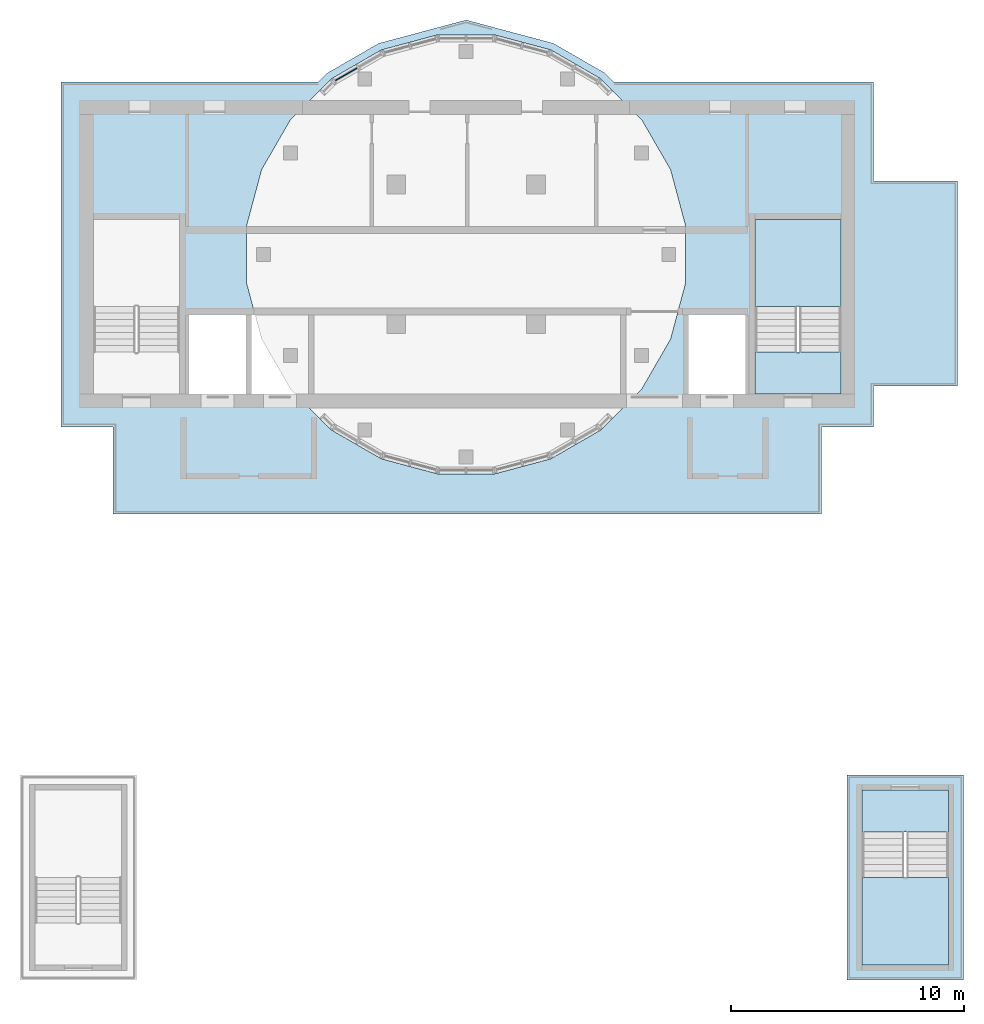
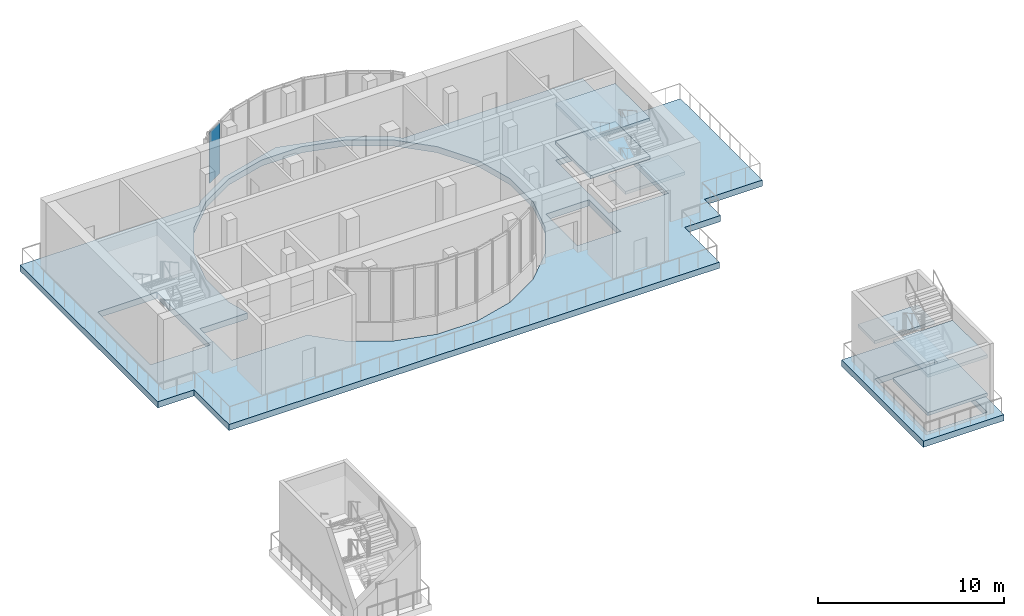
# One storey, part 3 of 10: 8 slabs, 1 plate, 3 elements without a shape of their own.
"""IFC4 building model written with IfcOpenShell, lengths in metres."""

from ifc_helpers import new_model, si_unit, direction, frame, origin, origin_2d, place, context, subcontext, project, spatial, polyline, rectangle, outline, extrude, source, transform, mapped, material, layer, layer_set, type_object, element, aggregate, save


model = new_model("IFC4")

# Units and contexts
model_context = context("Model", 3, precision=1e-05, world=origin(), true_north=direction((0.0, 1.0)))
body_context = subcontext(model_context, "Body", "Model", "MODEL_VIEW")
ifc_project = project(units=[si_unit("LENGTHUNIT", "METRE"), si_unit("AREAUNIT", "SQUARE_METRE"), si_unit("VOLUMEUNIT", "CUBIC_METRE"), si_unit("PLANEANGLEUNIT", "RADIAN"), si_unit("MASSUNIT", "GRAM", prefix="KILO")], contexts=[model_context])

# Site, building, storey
site_placement = place(None, origin())
site = spatial("IfcSite", under=ifc_project, at=site_placement, CompositionType="ELEMENT")
building_placement = place(site_placement, origin())
building = spatial("IfcBuilding", under=site, at=building_placement, Name="Kilnfold Tower and Market Hall", CompositionType="ELEMENT")
storey_placement = place(building_placement, frame((0.0, 0.0, 323.800048828125)))
storey = spatial("IfcBuildingStorey", under=building, at=storey_placement, Name="L81 Crown Plant", CompositionType="ELEMENT", Elevation=323.800048828125)

# Curtain wall, plate
ifc_material_1 = material(Name="Aluminium and double glazing", Category="aluminium")
curtain_wall_type = type_object("IfcCurtainWallType", Name="CW CROWN CLERESTORY", PredefinedType="NOTDEFINED", material=ifc_material_1)
curtain_wall_placement = place(storey_placement, origin())
curtain_wall = element("IfcCurtainWall", 1, at=curtain_wall_placement, inside=storey, type_object=curtain_wall_type, Name="Curtain wall CW6 L81 D15", PredefinedType="NOTDEFINED")
ifc_material_2 = material(Name="Double glazed unit")
ifc_layer_1 = layer(ifc_material_2, 0.0380859375)
ifc_layer_set_1 = layer_set([ifc_layer_1], Name="Double glazed unit")
plate_type = type_object("IfcPlateType", Name="GLAZING PANEL 38", PredefinedType="CURTAIN_PANEL", material=ifc_layer_set_1)
shared_shape_1 = source(origin(), body_context, "Body", "SweptSolid", [
    extrude(rectangle(XDim=1.107666015625, YDim=0.0380859375, at=origin_2d()), origin(), (0.0, 0.0, 1.0), 3.324951171875),
])
plate_placement = place(storey_placement, frame((-4.146484375, 22.7314453125, 1.2001953125), z_axis=(0.0, 0.0, 1.0), x_axis=(-0.866030690129, -0.499990843671, 0.0)))
plate = element("IfcPlate", 2, at=plate_placement, type_object=plate_type, Name="CW6 panel 2.1", PredefinedType="CURTAIN_PANEL", context=body_context, shape_type="MappedRepresentation", body=[
    mapped(shared_shape_1, transform((0.0, 0.0, 0.0))),
])
aggregate(curtain_wall, [plate])

# Stair, slabs
ifc_material_3 = material(Name="Concrete C40/50", Category="concrete")
stair_type = type_object("IfcStairType", Name="CORE STAIR 1800", PredefinedType="HALF_TURN_STAIR", material=ifc_material_3)
stair_1_placement = place(storey_placement, origin())
stair_1 = element("IfcStair", 3, at=stair_1_placement, inside=storey, type_object=stair_type, Name="L81 Crown Plant ST2", PredefinedType="HALF_TURN_STAIR")
ifc_material_4 = material(Name="Concrete C40/50", Category="concrete")
ifc_layer_2 = layer(ifc_material_4, 0.199951171875)
ifc_layer_set_2 = layer_set([ifc_layer_2], Name="Concrete C40/50")
slab_type_1 = type_object("IfcSlabType", Name="CORE STAIR LANDING 200", PredefinedType="LANDING", material=ifc_layer_set_2)
shared_shape_2 = source(origin(), body_context, "Body", "SweptSolid", [
    extrude(outline(polyline([(17.10009765625, 9.0), (17.10009765625, 10.800048828125), (13.39990234375, 10.800048828125), (13.39990234375, 9.0), (17.10009765625, 9.0)])), origin(), (0.0, 0.0, 1.0), 0.199951171875),
])
slab_1_placement = place(storey_placement, frame((0.0, 0.0, 2.300048828125)))
slab_1 = element("IfcSlab", 4, at=slab_1_placement, type_object=slab_type_1, Name="ST2 landing 2", PredefinedType="LANDING", context=body_context, shape_type="MappedRepresentation", body=[
    mapped(shared_shape_2, transform((0.0, 0.0, 0.0))),
])
shared_shape_3 = source(origin(), body_context, "Body", "SweptSolid", [
    extrude(outline(polyline([(17.10009765625, 12.760009765625), (17.10009765625, 16.5), (13.39990234375, 16.5), (13.39990234375, 12.760009765625), (17.10009765625, 12.760009765625)])), origin(), (0.0, 0.0, 1.0), 0.199951171875),
])
slab_2_placement = place(storey_placement, frame((0.0, 0.0, 1.050048828125)))
slab_2 = element("IfcSlab", 5, at=slab_2_placement, type_object=slab_type_1, Name="ST2 landing 1", PredefinedType="LANDING", context=body_context, shape_type="MappedRepresentation", body=[
    mapped(shared_shape_3, transform((0.0, 0.0, 0.0))),
])
slab_3_placement = place(storey_placement, frame((0.0, 0.0, 3.550048828125)))
slab_3 = element("IfcSlab", 6, at=slab_3_placement, type_object=slab_type_1, Name="ST2 landing 3", PredefinedType="LANDING", context=body_context, shape_type="MappedRepresentation", body=[
    mapped(shared_shape_3, transform((0.0, 0.0, 0.0))),
])
aggregate(stair_1, [slab_2, slab_1, slab_3])

stair_2_placement = place(storey_placement, origin())
stair_2 = element("IfcStair", 7, at=stair_2_placement, inside=storey, type_object=stair_type, Name="L81 Crown Plant ST4", PredefinedType="HALF_TURN_STAIR")
shared_shape_4 = source(origin(), body_context, "Body", "SweptSolid", [
    extrude(outline(polyline([(18.0, -8.0), (18.0, -9.800048828125), (21.699951171875, -9.800048828125), (21.699951171875, -8.0), (18.0, -8.0)])), origin(), (0.0, 0.0, 1.0), 0.199951171875),
])
slab_4_placement = place(storey_placement, frame((0.0, 0.0, 2.300048828125)))
slab_4 = element("IfcSlab", 8, at=slab_4_placement, type_object=slab_type_1, Name="ST4 landing 2", PredefinedType="LANDING", context=body_context, shape_type="MappedRepresentation", body=[
    mapped(shared_shape_4, transform((0.0, 0.0, 0.0))),
])
shared_shape_5 = source(origin(), body_context, "Body", "SweptSolid", [
    extrude(outline(polyline([(18.0, -11.760009765625), (18.0, -15.5), (21.699951171875, -15.5), (21.699951171875, -11.760009765625), (18.0, -11.760009765625)])), origin(), (0.0, 0.0, 1.0), 0.199951171875),
])
slab_5_placement = place(storey_placement, frame((0.0, 0.0, 1.050048828125)))
slab_5 = element("IfcSlab", 9, at=slab_5_placement, type_object=slab_type_1, Name="ST4 landing 1", PredefinedType="LANDING", context=body_context, shape_type="MappedRepresentation", body=[
    mapped(shared_shape_5, transform((0.0, 0.0, 0.0))),
])
slab_6_placement = place(storey_placement, frame((0.0, 0.0, 3.550048828125)))
slab_6 = element("IfcSlab", 10, at=slab_6_placement, type_object=slab_type_1, Name="ST4 landing 3", PredefinedType="LANDING", context=body_context, shape_type="MappedRepresentation", body=[
    mapped(shared_shape_5, transform((0.0, 0.0, 0.0))),
])
aggregate(stair_2, [slab_5, slab_4, slab_6])

# Slabs
ifc_material_5 = material(Name="Concrete C40/50", Category="concrete")
ifc_layer_3 = layer(ifc_material_5, 0.39990234375)
ifc_layer_set_3 = layer_set([ifc_layer_3], Name="Concrete C40/50")
slab_type_2 = type_object("IfcSlabType", Name="CROWN CORE FLOOR SLAB 400", PredefinedType="FLOOR", material=ifc_layer_set_3)
shared_shape_6 = source(origin(), body_context, "Body", "SweptSolid", [
    extrude(outline(polyline([(17.35009765625, -16.14990234375), (17.35009765625, -7.35009765625), (22.35009765625, -7.35009765625), (22.35009765625, -16.14990234375), (17.35009765625, -16.14990234375)]), holes=[polyline([(18.00048828125, -15.49951171875), (21.699462890625, -15.49951171875), (21.699462890625, -9.800537109375), (18.00048828125, -9.800537109375), (18.00048828125, -15.49951171875)])]), origin(), (0.0, 0.0, 1.0), 0.400146484375),
])
slab_7_placement = place(storey_placement, frame((0.0, 0.0, -0.400146484375)))
element("IfcSlab", 11, at=slab_7_placement, inside=storey, type_object=slab_type_2, Name="Crown core floor slab", PredefinedType="FLOOR", context=body_context, shape_type="MappedRepresentation", body=[
    mapped(shared_shape_6, transform((0.0, 0.0, 0.0))),
])
shared_shape_7 = source(origin(), body_context, "Body", "SweptSolid", [
    extrude(outline(polyline([(-11.260009765625, 3.85009765625), (-14.14990234375, 3.85009765625), (-14.14990234375, 7.60009765625), (-16.39990234375, 7.60009765625), (-16.39990234375, 22.39990234375), (-5.344482421875, 22.39990234375), (-4.96728515625, 22.777099609375), (-2.751220703125, 24.056396484375), (1.0, 25.0615234375), (4.751220703125, 24.056396484375), (6.96728515625, 22.777099609375), (7.344482421875, 22.39990234375), (18.5, 22.39990234375), (18.5, 18.14990234375), (22.10009765625, 18.14990234375), (22.10009765625, 9.35009765625), (18.5, 9.35009765625), (18.5, 7.60009765625), (16.25, 7.60009765625), (16.25, 3.85009765625), (13.97998046875, 3.85009765625), (10.47998046875, 3.85009765625), (-5.39990234375, 3.85009765625), (-11.260009765625, 3.85009765625)]), holes=[polyline([(-5.320068359375, 8.0), (-4.783203125, 7.463134765625), (-2.635498046875, 6.22314453125), (-0.239990234375, 5.581298828125), (2.239990234375, 5.581298828125), (4.635498046875, 6.22314453125), (6.783203125, 7.463134765625), (7.320068359375, 8.0), (8.536865234375, 9.216796875), (9.77685546875, 11.364501953125), (10.418701171875, 13.760009765625), (10.418701171875, 16.239990234375), (9.77685546875, 18.635498046875), (8.536865234375, 20.783203125), (6.783203125, 22.536865234375), (4.635498046875, 23.77685546875), (2.239990234375, 24.418701171875), (-0.239990234375, 24.418701171875), (-2.635498046875, 23.77685546875), (-4.783203125, 22.536865234375), (-6.536865234375, 20.783203125), (-7.77685546875, 18.635498046875), (-8.418701171875, 16.239990234375), (-8.418701171875, 13.760009765625), (-8.05419921875, 12.39990234375), (-8.330078125, 12.39990234375), (-11.010009765625, 12.39990234375), (-11.010009765625, 9.0), (-8.330078125, 9.0), (-6.320068359375, 9.0), (-5.52001953125, 8.199951171875), (-5.39990234375, 8.079833984375), (-5.320068359375, 8.0)]), polyline([(10.429931640625, 9.0), (13.110107421875, 9.0), (13.110107421875, 12.39990234375), (10.429931640625, 12.39990234375), (10.429931640625, 9.0)]), polyline([(-11.300537109375, 10.800537109375), (-11.300537109375, 16.49951171875), (-14.99951171875, 16.49951171875), (-14.99951171875, 10.800537109375), (-11.300537109375, 10.800537109375)]), polyline([(13.400390625, 10.800537109375), (17.099609375, 10.800537109375), (17.099609375, 16.49951171875), (13.400390625, 16.49951171875), (13.400390625, 10.800537109375)])]), origin(), (0.0, 0.0, 1.0), 0.400146484375),
])
slab_8_placement = place(storey_placement, frame((0.0, 0.0, -0.400146484375)))
element("IfcSlab", 12, at=slab_8_placement, inside=storey, type_object=slab_type_2, Name="Crown core floor slab", PredefinedType="FLOOR", context=body_context, shape_type="MappedRepresentation", body=[
    mapped(shared_shape_7, transform((0.0, 0.0, 0.0))),
])

save(model, "model.ifc")
